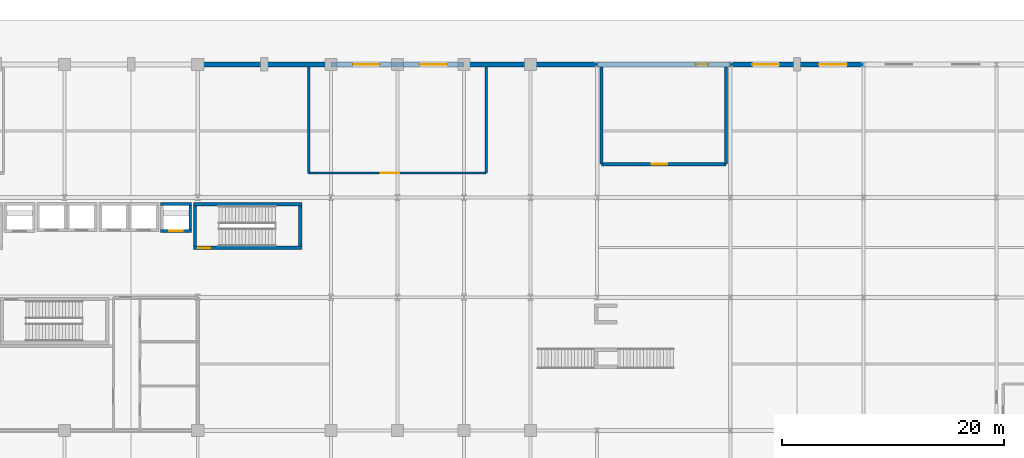
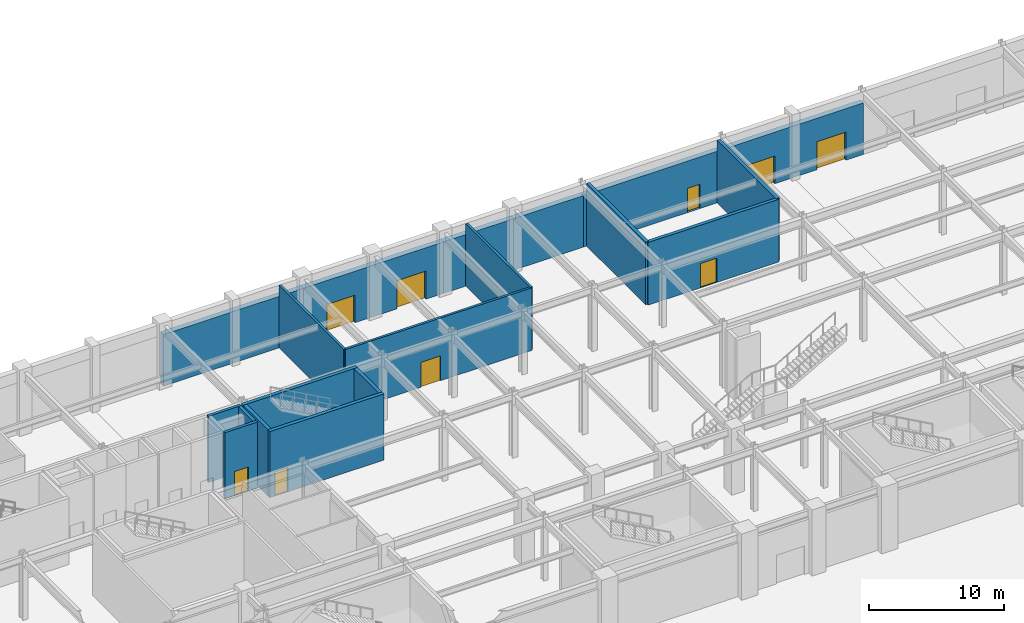
# One storey, part 27 of 44: 19 walls, 9 doors, 9 openings.
"""IFC4 building model written with IfcOpenShell, lengths in metres."""

from ifc_helpers import new_model, si_unit, direction, frame, frame_2d, origin, place, context, subcontext, project, spatial, rectangle, extrude, material, layer, layer_set, type_object, element, fill, save


model = new_model("IFC4")

# Units and contexts
model_context = context("Model", 3, precision=1e-05, world=origin(), true_north=direction((0.0, 1.0)))
body_context = subcontext(model_context, "Body", "Model", "MODEL_VIEW")
ifc_project = project(units=[si_unit("LENGTHUNIT", "METRE"), si_unit("AREAUNIT", "SQUARE_METRE"), si_unit("VOLUMEUNIT", "CUBIC_METRE"), si_unit("PLANEANGLEUNIT", "RADIAN"), si_unit("MASSUNIT", "GRAM", prefix="KILO")], contexts=[model_context])

# Site, building, storey
site_placement = place(None, origin())
site = spatial("IfcSite", under=ifc_project, at=site_placement, CompositionType="ELEMENT")
building_placement = place(site_placement, origin())
building = spatial("IfcBuilding", under=site, at=building_placement, Name="Kaldorvane Square Convention Centre", CompositionType="ELEMENT")
storey_placement = place(building_placement, origin())
storey = spatial("IfcBuildingStorey", under=building, at=storey_placement, Name="L00", CompositionType="ELEMENT", Elevation=0.0)

# Wall, opening, door
ifc_material_1 = material(Name="Reinforced Concrete Masonry Acoustic Partition", Category="masonry")
ifc_layer_1 = layer(ifc_material_1, 0.279998779296875)
ifc_layer_set_1 = layer_set([ifc_layer_1], Name="Reinforced Concrete Masonry Acoustic Partition")
wall_type_1 = type_object("IfcWallType", Name="WL-ACO-280", PredefinedType="PARTITIONING", material=ifc_layer_set_1)
wall_1_placement = place(storey_placement, frame((102.39999389648438, 108.0, 0.0), z_axis=(0.0, 0.0, 1.0), x_axis=(1.0, 0.0, 0.0)))
wall_1 = element("IfcWall", 1, at=wall_1_placement, inside=storey, type_object=wall_type_1, Name="Fire Command Centre S Wall", PredefinedType="PARTITIONING", context=body_context, shape_type="SweptSolid", body=[
    extrude(rectangle(XDim=11.20001220703125, YDim=0.279998779296875, at=frame_2d((5.600006103515625, 0.0))), origin(), (0.0, 0.0, 1.0), 5.67999267578125),
])
opening_1_placement = place(wall_1_placement, frame((4.5, 0.0, 0.0)))
opening_1 = element("IfcOpeningElement", 2, at=opening_1_placement, cuts=wall_1, Name="Opening ID-08", PredefinedType="OPENING", context=body_context, shape_type="SweptSolid", body=[
    extrude(rectangle(XDim=1.399993896484375, YDim=2.1999969482421875, at=frame_2d((0.6999969482421875, 1.100006103515625))), frame((0.0, 0.154998779296875, 0.0), z_axis=(0.0, -1.0, 0.0), x_axis=(1.0, 0.0, 0.0)), (0.0, 0.0, 1.0), 0.30999755859375),
])
ifc_material_2 = material(Name="Insulated Hollow Metal Steel", Category="steel")
door_type_1 = type_object("IfcDoorType", Name="DR-SVC-1400X2200", OperationType="DOUBLE_DOOR_SINGLE_SWING", PredefinedType="DOOR", material=ifc_material_2)
door_1_placement = place(opening_1_placement, origin())
door_1 = element("IfcDoor", 3, at=door_1_placement, inside=storey, type_object=door_type_1, Name="Fire Command Centre Door 1", OperationType="DOUBLE_DOOR_SINGLE_SWING", OverallHeight=2.1999969482421875, OverallWidth=1.399993896484375, PredefinedType="DOOR", context=body_context, shape_type="SweptSolid", body=[
    extrude(rectangle(XDim=1.399993896484375, YDim=2.1999969482421875, at=frame_2d((0.6999969482421875, 1.100006103515625))), frame((0.0, 0.024993896484375, 0.0), z_axis=(0.0, -1.0, 0.0), x_axis=(1.0, 0.0, 0.0)), (0.0, 0.0, 1.0), 0.0500030517578125),
])
fill(opening_1, door_1)

# Walls
for number, where, z_axis, x_axis, name in (
    (4, (113.60000610351562, 108.0, 0.0), (0.0, 0.0, 1.0), (0.0, 1.0, 0.0), "Fire Command Centre E Wall"),
    (5, (102.39999389648438, 116.77499389648438, 0.0), (0.0, 0.0, 1.0), (0.0, -1.0, 0.0), "Fire Command Centre W Wall"),
):
    element("IfcWall", number, at=place(storey_placement, frame(where, z_axis=z_axis, x_axis=x_axis)), inside=storey, type_object=wall_type_1, Name=name, PredefinedType="PARTITIONING", context=body_context, shape_type="SweptSolid", body=[
        extrude(rectangle(XDim=8.774993896484375, YDim=0.279998779296875, at=frame_2d((4.3874969482421875, 0.0))), origin(), (0.0, 0.0, 1.0), 5.67999267578125),
    ])

# Wall, opening, door
ifc_material_3 = material(Name="Fire-Rated Gypsum Board on Acoustic Steel Studs", Category="steel")
ifc_layer_2 = layer(ifc_material_3, 0.1999969482421875)
ifc_layer_set_2 = layer_set([ifc_layer_2], Name="Fire-Rated Gypsum Board on Acoustic Steel Studs")
wall_type_2 = type_object("IfcWallType", Name="WL-CORR-200", PredefinedType="PARTITIONING", material=ifc_layer_set_2)
wall_2_placement = place(storey_placement, frame((76.0, 107.19999694824219, 0.0), z_axis=(0.0, 0.0, 1.0), x_axis=(1.0, 0.0, 0.0)))
wall_2 = element("IfcWall", 6, at=wall_2_placement, inside=storey, type_object=wall_type_2, Name="Hotel Concierge and Bell Storage S Wall", PredefinedType="PARTITIONING", context=body_context, shape_type="SweptSolid", body=[
    extrude(rectangle(XDim=16.0, YDim=0.1999969482421875, at=frame_2d((8.0, 0.0))), origin(), (0.0, 0.0, 1.0), 5.67999267578125),
])
opening_2_placement = place(wall_2_placement, frame((6.5, 0.0, 0.0)))
opening_2 = element("IfcOpeningElement", 7, at=opening_2_placement, cuts=wall_2, Name="Opening ID-16", PredefinedType="OPENING", context=body_context, shape_type="SweptSolid", body=[
    extrude(rectangle(XDim=1.649993896484375, YDim=2.25, at=frame_2d((0.8249969482421875, 1.125))), frame((0.0, 0.114990234375, 0.0), z_axis=(0.0, -1.0, 0.0), x_axis=(1.0, 0.0, 0.0)), (0.0, 0.0, 1.0), 0.2299957275390625),
])
ifc_material_4 = material(Name="Acoustic Laminated Glass in Aluminum Frame", Category="aluminium")
door_type_2 = type_object("IfcDoorType", Name="DR-GL-1650X2250", OperationType="DOUBLE_DOOR_SINGLE_SWING", PredefinedType="DOOR", material=ifc_material_4)
door_2_placement = place(opening_2_placement, origin())
door_2 = element("IfcDoor", 8, at=door_2_placement, inside=storey, type_object=door_type_2, Name="Hotel Concierge and Bell Storage Door 1", OperationType="DOUBLE_DOOR_SINGLE_SWING", OverallHeight=2.25, OverallWidth=1.649993896484375, PredefinedType="DOOR", context=body_context, shape_type="SweptSolid", body=[
    extrude(rectangle(XDim=1.649993896484375, YDim=2.25, at=frame_2d((0.8249969482421875, 1.125))), frame((0.0, 0.024993896484375, 0.0), z_axis=(0.0, -1.0, 0.0), x_axis=(1.0, 0.0, 0.0)), (0.0, 0.0, 1.0), 0.0500030517578125),
])
fill(opening_2, door_2)

# Walls
for number, where, z_axis, x_axis, name in (
    (9, (92.0, 107.19999694824219, 0.0), (0.0, 0.0, 1.0), (0.0, 1.0, 0.0), "Hotel Concierge and Bell Storage E Wall"),
    (10, (76.0, 116.77499389648438, 0.0), (0.0, 0.0, 1.0), (0.0, -1.0, 0.0), "Hotel Concierge and Bell Storage W Wall"),
):
    element("IfcWall", number, at=place(storey_placement, frame(where, z_axis=z_axis, x_axis=x_axis)), inside=storey, type_object=wall_type_2, Name=name, PredefinedType="PARTITIONING", context=body_context, shape_type="SweptSolid", body=[
        extrude(rectangle(XDim=9.574996948242188, YDim=0.1999969482421875, at=frame_2d((4.787506103515625, 0.0))), origin(), (0.0, 0.0, 1.0), 5.67999267578125),
    ])
ifc_material_5 = material(Name="Concrete f'c = 42 MPa (Normalweight)", Category="concrete")
ifc_layer_3 = layer(ifc_material_5, 0.4499969482421875)
ifc_layer_set_3 = layer_set([ifc_layer_3], Name="Concrete f'c = 42 MPa (Normalweight)")
wall_type_3 = type_object("IfcWallType", Name="WL-EXT-450", PredefinedType="STANDARD", material=ifc_layer_set_3)
wall_3_placement = place(storey_placement, frame((78.0, 117.0, 0.0), z_axis=(0.0, 0.0, 1.0), x_axis=(-1.0, 0.0, 0.0)))
element("IfcWall", 11, at=wall_3_placement, inside=storey, type_object=wall_type_3, Name="North Square Brutalist Facade Wall (L00)", PredefinedType="STANDARD", context=body_context, shape_type="SweptSolid", body=[
    extrude(rectangle(XDim=12.0, YDim=0.4499969482421875, at=frame_2d((6.0, 0.0))), origin(), (0.0, 0.0, 1.0), 4.675994873046875),
])

# Wall, openings, doors
wall_4_placement = place(storey_placement, frame((90.0, 117.0, 0.0), z_axis=(0.0, 0.0, 1.0), x_axis=(-1.0, 0.0, 0.0)))
wall_4 = element("IfcWall", 12, at=wall_4_placement, inside=storey, type_object=wall_type_3, Name="North Square Brutalist Facade Wall (L00)", PredefinedType="STANDARD", context=body_context, shape_type="SweptSolid", body=[
    extrude(rectangle(XDim=12.0, YDim=0.4499969482421875, at=frame_2d((6.0, 0.0))), origin(), (0.0, 0.0, 1.0), 4.675994873046875),
])
opening_3_placement = place(wall_4_placement, frame((1.5, 0.0, 0.0)))
opening_3 = element("IfcOpeningElement", 13, at=opening_3_placement, cuts=wall_4, Name="Opening ED-01", PredefinedType="OPENING", context=body_context, shape_type="SweptSolid", body=[
    extrude(rectangle(XDim=2.5, YDim=2.5500030517578125, at=frame_2d((1.25, 1.274993896484375))), frame((0.0, 0.239990234375, 0.0), z_axis=(0.0, -1.0, 0.0), x_axis=(1.0, 0.0, 0.0)), (0.0, 0.0, 1.0), 0.4799957275390625),
])
opening_4_placement = place(wall_4_placement, frame((7.600006103515625, 0.0, 0.0)))
opening_4 = element("IfcOpeningElement", 14, at=opening_4_placement, cuts=wall_4, Name="Opening ED-02", PredefinedType="OPENING", context=body_context, shape_type="SweptSolid", body=[
    extrude(rectangle(XDim=2.399993896484375, YDim=2.5, at=frame_2d((1.1999969482421875, 1.25))), frame((0.0, 0.239990234375, 0.0), z_axis=(0.0, -1.0, 0.0), x_axis=(1.0, 0.0, 0.0)), (0.0, 0.0, 1.0), 0.4799957275390625),
])
ifc_material_6 = material(Name="Thermally Broken Aluminum and Tempered Glass", Category="aluminium")
door_type_3 = type_object("IfcDoorType", Name="DR-EXT-2400X2500", OperationType="DOUBLE_DOOR_SINGLE_SWING", PredefinedType="DOOR", material=ifc_material_6)
door_3_placement = place(opening_4_placement, origin())
door_3 = element("IfcDoor", 15, at=door_3_placement, inside=storey, type_object=door_type_3, Name="North Kaldorvane Square Entrance Exit Door 13", OperationType="DOUBLE_DOOR_SINGLE_SWING", OverallHeight=2.5, OverallWidth=2.399993896484375, PredefinedType="DOOR", context=body_context, shape_type="SweptSolid", body=[
    extrude(rectangle(XDim=2.399993896484375, YDim=2.5, at=frame_2d((1.1999969482421875, 1.25))), frame((0.0, 0.024993896484375, 0.0), z_axis=(0.0, -1.0, 0.0), x_axis=(1.0, 0.0, 0.0)), (0.0, 0.0, 1.0), 0.0500030517578125),
])
fill(opening_4, door_3)
door_type_4 = type_object("IfcDoorType", Name="DR-EXT-2500X2550", OperationType="DOUBLE_DOOR_SINGLE_SWING", PredefinedType="DOOR", material=ifc_material_6)
door_4_placement = place(opening_3_placement, origin())
door_4 = element("IfcDoor", 16, at=door_4_placement, inside=storey, type_object=door_type_4, Name="North Kaldorvane Square Entrance Exit Door 12", OperationType="DOUBLE_DOOR_SINGLE_SWING", OverallHeight=2.5500030517578125, OverallWidth=2.5, PredefinedType="DOOR", context=body_context, shape_type="SweptSolid", body=[
    extrude(rectangle(XDim=2.5, YDim=2.5500030517578125, at=frame_2d((1.25, 1.274993896484375))), frame((0.0, 0.024993896484375, 0.0), z_axis=(0.0, -1.0, 0.0), x_axis=(1.0, 0.0, 0.0)), (0.0, 0.0, 1.0), 0.0500030517578125),
])
fill(opening_3, door_4)

# Walls
for number, where, z_axis, x_axis, name in (
    (17, (96.0, 117.0, 0.0), (0.0, 0.0, 1.0), (-1.0, 0.0, 0.0), "North Square Brutalist Facade Wall (L00)"),
    (18, (102.0, 117.0, 0.0), (0.0, 0.0, 1.0), (-1.0, 0.0, 0.0), "North Square Brutalist Facade Wall (L00)"),
):
    element("IfcWall", number, at=place(storey_placement, frame(where, z_axis=z_axis, x_axis=x_axis)), inside=storey, type_object=wall_type_3, Name=name, PredefinedType="STANDARD", context=body_context, shape_type="SweptSolid", body=[
        extrude(rectangle(XDim=6.0, YDim=0.4499969482421875, at=frame_2d((3.0, 0.0))), origin(), (0.0, 0.0, 1.0), 4.675994873046875),
    ])

# Wall, opening, door
wall_5_placement = place(storey_placement, frame((114.0, 117.0, 0.0), z_axis=(0.0, 0.0, 1.0), x_axis=(-1.0, 0.0, 0.0)))
wall_5 = element("IfcWall", 19, at=wall_5_placement, inside=storey, type_object=wall_type_3, Name="North Square Brutalist Facade Wall (L00)", PredefinedType="STANDARD", context=body_context, shape_type="SweptSolid", body=[
    extrude(rectangle(XDim=12.0, YDim=0.4499969482421875, at=frame_2d((6.0, 0.0))), origin(), (0.0, 0.0, 1.0), 4.675994873046875),
])
opening_5_placement = place(wall_5_placement, frame((2.0, 0.0, 0.0)))
opening_5 = element("IfcOpeningElement", 20, at=opening_5_placement, cuts=wall_5, Name="Opening ED-07", PredefinedType="OPENING", context=body_context, shape_type="SweptSolid", body=[
    extrude(rectangle(XDim=1.100006103515625, YDim=2.1999969482421875, at=frame_2d((0.5500030517578125, 1.100006103515625))), frame((0.0, 0.239990234375, 0.0), z_axis=(0.0, -1.0, 0.0), x_axis=(1.0, 0.0, 0.0)), (0.0, 0.0, 1.0), 0.4799957275390625),
])
door_type_5 = type_object("IfcDoorType", Name="DR-FCC-1100X2200", OperationType="SINGLE_SWING_RIGHT", PredefinedType="DOOR", material=ifc_material_6)
door_5_placement = place(opening_5_placement, origin())
door_5 = element("IfcDoor", 21, at=door_5_placement, inside=storey, type_object=door_type_5, Name="Fire Command Centre Exterior LAFD Door", OperationType="SINGLE_SWING_RIGHT", OverallHeight=2.1999969482421875, OverallWidth=1.100006103515625, PredefinedType="DOOR", context=body_context, shape_type="SweptSolid", body=[
    extrude(rectangle(XDim=1.100006103515625, YDim=2.1999969482421875, at=frame_2d((0.5500030517578125, 1.100006103515625))), frame((0.0, 0.024993896484375, 0.0), z_axis=(0.0, -1.0, 0.0), x_axis=(1.0, 0.0, 0.0)), (0.0, 0.0, 1.0), 0.0500030517578125),
])
fill(opening_5, door_5)

# Wall, openings, doors
wall_6_placement = place(storey_placement, frame((126.0, 117.0, 0.0), z_axis=(0.0, 0.0, 1.0), x_axis=(-1.0, 0.0, 0.0)))
wall_6 = element("IfcWall", 22, at=wall_6_placement, inside=storey, type_object=wall_type_3, Name="North Square Brutalist Facade Wall (L00)", PredefinedType="STANDARD", context=body_context, shape_type="SweptSolid", body=[
    extrude(rectangle(XDim=12.0, YDim=0.4499969482421875, at=frame_2d((6.0, 0.0))), origin(), (0.0, 0.0, 1.0), 4.675994873046875),
])
opening_6_placement = place(wall_6_placement, frame((1.5, 0.0, 0.0)))
opening_6 = element("IfcOpeningElement", 23, at=opening_6_placement, cuts=wall_6, Name="Opening ED-01", PredefinedType="OPENING", context=body_context, shape_type="SweptSolid", body=[
    extrude(rectangle(XDim=2.5, YDim=2.5500030517578125, at=frame_2d((1.25, 1.274993896484375))), frame((0.0, 0.239990234375, 0.0), z_axis=(0.0, -1.0, 0.0), x_axis=(1.0, 0.0, 0.0)), (0.0, 0.0, 1.0), 0.4799957275390625),
])
opening_7_placement = place(wall_6_placement, frame((7.600006103515625, 0.0, 0.0)))
opening_7 = element("IfcOpeningElement", 24, at=opening_7_placement, cuts=wall_6, Name="Opening ED-02", PredefinedType="OPENING", context=body_context, shape_type="SweptSolid", body=[
    extrude(rectangle(XDim=2.399993896484375, YDim=2.5, at=frame_2d((1.1999969482421875, 1.25))), frame((0.0, 0.239990234375, 0.0), z_axis=(0.0, -1.0, 0.0), x_axis=(1.0, 0.0, 0.0)), (0.0, 0.0, 1.0), 0.4799957275390625),
])
door_6_placement = place(opening_7_placement, origin())
door_6 = element("IfcDoor", 25, at=door_6_placement, inside=storey, type_object=door_type_3, Name="North Kaldorvane Square Entrance Exit Door 15", OperationType="DOUBLE_DOOR_SINGLE_SWING", OverallHeight=2.5, OverallWidth=2.399993896484375, PredefinedType="DOOR", context=body_context, shape_type="SweptSolid", body=[
    extrude(rectangle(XDim=2.399993896484375, YDim=2.5, at=frame_2d((1.1999969482421875, 1.25))), frame((0.0, 0.024993896484375, 0.0), z_axis=(0.0, -1.0, 0.0), x_axis=(1.0, 0.0, 0.0)), (0.0, 0.0, 1.0), 0.0500030517578125),
])
fill(opening_7, door_6)
door_7_placement = place(opening_6_placement, origin())
door_7 = element("IfcDoor", 26, at=door_7_placement, inside=storey, type_object=door_type_4, Name="North Kaldorvane Square Entrance Exit Door 14", OperationType="DOUBLE_DOOR_SINGLE_SWING", OverallHeight=2.5500030517578125, OverallWidth=2.5, PredefinedType="DOOR", context=body_context, shape_type="SweptSolid", body=[
    extrude(rectangle(XDim=2.5, YDim=2.5500030517578125, at=frame_2d((1.25, 1.274993896484375))), frame((0.0, 0.024993896484375, 0.0), z_axis=(0.0, -1.0, 0.0), x_axis=(1.0, 0.0, 0.0)), (0.0, 0.0, 1.0), 0.0500030517578125),
])
fill(opening_6, door_7)

# Wall, opening, door
ifc_material_7 = material(Name="Concrete f'c = 55 MPa (Normalweight)", Category="concrete")
ifc_layer_4 = layer(ifc_material_7, 0.3000030517578125)
ifc_layer_set_4 = layer_set([ifc_layer_4], Name="Concrete f'c = 55 MPa (Normalweight)")
wall_type_4 = type_object("IfcWallType", Name="WL-SHAFT-300", PredefinedType="SHEAR", material=ifc_layer_set_4)
wall_7_placement = place(storey_placement, frame((65.60000610351562, 100.46000671386719, 0.0), z_axis=(0.0, 0.0, 1.0), x_axis=(1.0, 0.0, 0.0)))
wall_7 = element("IfcWall", 27, at=wall_7_placement, inside=storey, type_object=wall_type_4, Name="Core Enclosure Wall stair:ST-T2-S (L00)", PredefinedType="SHEAR", context=body_context, shape_type="SweptSolid", body=[
    extrude(rectangle(XDim=9.79998779296875, YDim=0.3000030517578125, at=frame_2d((4.899993896484375, 0.0))), origin(), (0.0, 0.0, 1.0), 6.0),
])
opening_8_placement = place(wall_7_placement, frame((0.4499969482421875, 0.0, 0.0)))
opening_8 = element("IfcOpeningElement", 28, at=opening_8_placement, cuts=wall_7, Name="Opening FD90-S1", PredefinedType="OPENING", context=body_context, shape_type="SweptSolid", body=[
    extrude(rectangle(XDim=1.100006103515625, YDim=2.1999969482421875, at=frame_2d((0.5500030517578125, 1.100006103515625))), frame((0.0, 0.165008544921875, 0.0), z_axis=(0.0, -1.0, 0.0), x_axis=(1.0, 0.0, 0.0)), (0.0, 0.0, 1.0), 0.3300018310546875),
])
ifc_material_8 = material(Name="Fire-Rated Hollow Metal Steel", Category="steel")
door_type_6 = type_object("IfcDoorType", Name="DR-STAIR-1100", OperationType="SINGLE_SWING_RIGHT", PredefinedType="DOOR", material=ifc_material_8)
door_8_placement = place(opening_8_placement, origin())
door_8 = element("IfcDoor", 29, at=door_8_placement, inside=storey, type_object=door_type_6, Name="Tower Exit Stair T2 Fire Door (L00)", OperationType="SINGLE_SWING_RIGHT", OverallHeight=2.1999969482421875, OverallWidth=1.100006103515625, PredefinedType="DOOR", context=body_context, shape_type="SweptSolid", body=[
    extrude(rectangle(XDim=1.100006103515625, YDim=2.1999969482421875, at=frame_2d((0.5500030517578125, 1.100006103515625))), frame((0.0, 0.024993896484375, 0.0), z_axis=(0.0, -1.0, 0.0), x_axis=(1.0, 0.0, 0.0)), (0.0, 0.0, 1.0), 0.0500030517578125),
])
fill(opening_8, door_8)

# Walls
wall_8_placement = place(storey_placement, frame((75.39999389648438, 104.39999389648438, 0.0), z_axis=(0.0, 0.0, 1.0), x_axis=(-1.0, 0.0, 0.0)))
element("IfcWall", 30, at=wall_8_placement, inside=storey, type_object=wall_type_4, Name="Core Enclosure Wall stair:ST-T2-N (L00)", PredefinedType="SHEAR", context=body_context, shape_type="SweptSolid", body=[
    extrude(rectangle(XDim=9.79998779296875, YDim=0.3000030517578125, at=frame_2d((4.899993896484375, 0.0))), origin(), (0.0, 0.0, 1.0), 6.0),
])
for number, where, z_axis, x_axis, name in (
    (31, (65.75, 104.25, 0.0), (0.0, 0.0, 1.0), (0.0, -1.0, 0.0), "Core Enclosure Wall stair:ST-T2-W (L00)"),
    (32, (75.25, 100.61000061035156, 0.0), (0.0, 0.0, 1.0), (0.0, 1.0, 0.0), "Core Enclosure Wall stair:ST-T2-E (L00)"),
):
    element("IfcWall", number, at=place(storey_placement, frame(where, z_axis=z_axis, x_axis=x_axis)), inside=storey, type_object=wall_type_4, Name=name, PredefinedType="SHEAR", context=body_context, shape_type="SweptSolid", body=[
        extrude(rectangle(XDim=3.6399993896484375, YDim=0.3000030517578125, at=frame_2d((1.82000732421875, 0.0))), origin(), (0.0, 0.0, 1.0), 6.0),
    ])

# Wall, opening, door
wall_9_placement = place(storey_placement, frame((62.649993896484375, 101.97500610351562, 0.0), z_axis=(0.0, 0.0, 1.0), x_axis=(1.0, 0.0, 0.0)))
wall_9 = element("IfcWall", 33, at=wall_9_placement, inside=storey, type_object=wall_type_4, Name="Core Enclosure Wall lift:FSAE-02-S (L00)", PredefinedType="SHEAR", context=body_context, shape_type="SweptSolid", body=[
    extrude(rectangle(XDim=2.8000030517578125, YDim=0.25, at=frame_2d((1.399993896484375, 0.0))), origin(), (0.0, 0.0, 1.0), 6.0),
])
opening_9_placement = place(wall_9_placement, frame((0.8000030517578125, 0.0, 0.0)))
opening_9 = element("IfcOpeningElement", 34, at=opening_9_placement, cuts=wall_9, Name="Opening LD-02", PredefinedType="OPENING", context=body_context, shape_type="SweptSolid", body=[
    extrude(rectangle(XDim=1.1999969482421875, YDim=2.1999969482421875, at=frame_2d((0.600006103515625, 1.100006103515625))), frame((0.0, 0.1399993896484375, 0.0), z_axis=(0.0, -1.0, 0.0), x_axis=(1.0, 0.0, 0.0)), (0.0, 0.0, 1.0), 0.279998779296875),
])
ifc_material_9 = material(Name="Stainless Steel Elevator Door Assembly", Category="steel")
door_type_7 = type_object("IfcDoorType", Name="DR-LIFT-1200", OperationType="DOUBLE_DOOR_SLIDING", PredefinedType="DOOR", material=ifc_material_9)
door_9_placement = place(opening_9_placement, origin())
door_9 = element("IfcDoor", 35, at=door_9_placement, inside=storey, type_object=door_type_7, Name="Elevator Landing Door FSAE-02 (L00)", OperationType="DOUBLE_DOOR_SLIDING", OverallHeight=2.1999969482421875, OverallWidth=1.1999969482421875, PredefinedType="DOOR", context=body_context, shape_type="SweptSolid", body=[
    extrude(rectangle(XDim=1.1999969482421875, YDim=2.1999969482421875, at=frame_2d((0.600006103515625, 1.100006103515625))), frame((0.0, 0.024993896484375, 0.0), z_axis=(0.0, -1.0, 0.0), x_axis=(1.0, 0.0, 0.0)), (0.0, 0.0, 1.0), 0.0500030517578125),
])
fill(opening_9, door_9)

# Walls
wall_10_placement = place(storey_placement, frame((65.44999694824219, 104.42500305175781, 0.0), z_axis=(0.0, 0.0, 1.0), x_axis=(-1.0, 0.0, 0.0)))
element("IfcWall", 36, at=wall_10_placement, inside=storey, type_object=wall_type_4, Name="Core Enclosure Wall lift:FSAE-02-N (L00)", PredefinedType="SHEAR", context=body_context, shape_type="SweptSolid", body=[
    extrude(rectangle(XDim=2.8000030517578125, YDim=0.25, at=frame_2d((1.399993896484375, 0.0))), origin(), (0.0, 0.0, 1.0), 6.0),
])
wall_11_placement = place(storey_placement, frame((65.32499694824219, 102.10000610351562, 0.0), z_axis=(0.0, 0.0, 1.0), x_axis=(0.0, 1.0, 0.0)))
element("IfcWall", 37, at=wall_11_placement, inside=storey, type_object=wall_type_4, Name="Core Enclosure Wall lift:FSAE-02-E (L00)", PredefinedType="SHEAR", context=body_context, shape_type="SweptSolid", body=[
    extrude(rectangle(XDim=2.1999969482421875, YDim=0.25, at=frame_2d((1.100006103515625, 0.0))), origin(), (0.0, 0.0, 1.0), 6.0),
])

save(model, "model.ifc")
